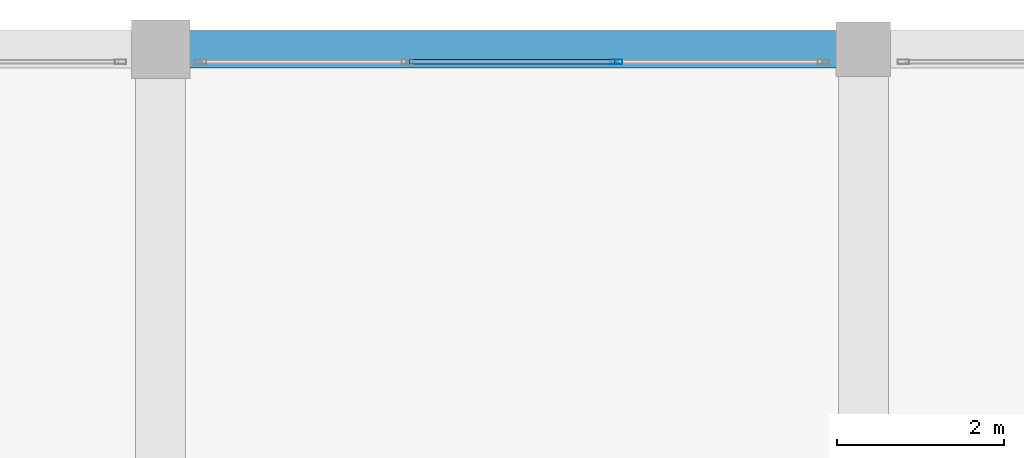
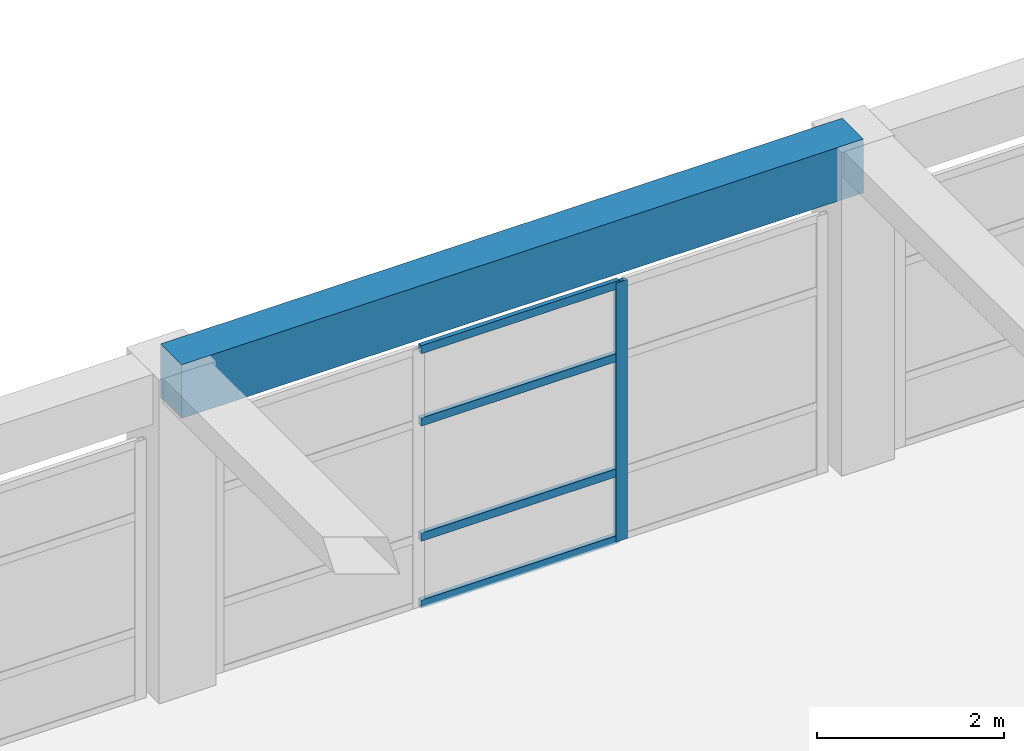
# One storey, part 51 of 85: 5 members, 1 beam, 1 element without a shape of its own.
"""IFC4 building model written with IfcOpenShell, lengths in metres."""

from ifc_helpers import new_model, si_unit, direction, frame, origin, origin_2d, place, context, subcontext, project, spatial, rectangle, hollow_rectangle, extrude, material, material_profile, profile_set, type_object, element, aggregate, save


model = new_model("IFC4")

# Units and contexts
model_context = context("Model", 3, precision=1e-05, world=origin(), true_north=direction((0.0, 1.0)))
body_context = subcontext(model_context, "Body", "Model", "MODEL_VIEW")
ifc_project = project(units=[si_unit("LENGTHUNIT", "METRE"), si_unit("AREAUNIT", "SQUARE_METRE"), si_unit("VOLUMEUNIT", "CUBIC_METRE"), si_unit("PLANEANGLEUNIT", "RADIAN"), si_unit("MASSUNIT", "GRAM", prefix="KILO")], contexts=[model_context])

# Site, building, storey
site_placement = place(None, origin())
site = spatial("IfcSite", under=ifc_project, at=site_placement, CompositionType="ELEMENT")
building_placement = place(site_placement, origin())
building = spatial("IfcBuilding", under=site, at=building_placement, Name="Almacenes y Pasaje Nevantli", CompositionType="ELEMENT")
storey_placement = place(building_placement, frame((0.0, 0.0, 22.199951171875)))
storey = spatial("IfcBuildingStorey", under=building, at=storey_placement, Name="L05", CompositionType="ELEMENT", Elevation=22.199951171875)

# Beam
ifc_material_1 = material(Name="Concrete C35/45", Category="concrete")
ifc_material_profile_1 = material_profile(ifc_material_1, rectangle(XDim=0.449951171875, YDim=0.699951171875, at=origin_2d()), Name="RC-BM-450x700")
ifc_profile_set_1 = profile_set([ifc_material_profile_1], Name="Concrete C35/45")
beam_type = type_object("IfcBeamType", Name="BM-RC-450x700", PredefinedType="SPANDREL", material=ifc_profile_set_1)
beam_placement = place(storey_placement, frame((117.60009765625, 117.60009765625, 3.8701171875), z_axis=(1.0, 0.0, 0.0), x_axis=(0.0, 1.0, 0.0)))
element("IfcBeam", 1, at=beam_placement, inside=storey, type_object=beam_type, Name="L05 East-West Reinforced Concrete Beam #3416", PredefinedType="SPANDREL", context=body_context, shape_type="SweptSolid", body=[
    extrude(rectangle(XDim=0.449951171875, YDim=0.699951171875, at=origin_2d()), origin(), (0.0, 0.0, 1.0), 8.39990234375),
])

# Curtain wall, members
ifc_material_2 = material(Name="Thermally Broken Aluminium and Low-E Glass", Category="aluminium")
curtain_wall_type = type_object("IfcCurtainWallType", Name="CW-UNIT-PODIUM", PredefinedType="USERDEFINED", material=ifc_material_2)
curtain_wall_placement = place(storey_placement, origin())
curtain_wall = element("IfcCurtainWall", 2, at=curtain_wall_placement, inside=storey, type_object=curtain_wall_type, Name="L05 Sky-Lobby North Curtain Wall Bay 15", ObjectType="UNITIZED CURTAIN WALL", PredefinedType="USERDEFINED")
ifc_material_3 = material(Name="Thermally Broken Anodized Aluminium", Category="aluminium")
ifc_material_profile_2 = material_profile(ifc_material_3, hollow_rectangle(XDim=0.054931640625, YDim=0.139892578125, WallThickness=0.00341796875, at=origin_2d()), Name="ALU-MUL-55x140")
ifc_profile_set_2 = profile_set([ifc_material_profile_2], Name="Thermally Broken Anodized Aluminium")
member_type_1 = type_object("IfcMemberType", Name="CW-MUL-160", PredefinedType="MULLION", material=ifc_profile_set_2)
member_1_placement = place(storey_placement, frame((123.050048828125, 117.449951171875, 0.0), z_axis=(0.0, 0.0, 1.0), x_axis=(0.0, 1.0, 0.0)))
member_1 = element("IfcMember", 3, at=member_1_placement, type_object=member_type_1, Name="CW-L05-086 mullion 3", PredefinedType="MULLION", context=body_context, shape_type="SweptSolid", body=[
    extrude(hollow_rectangle(XDim=0.054931640625, YDim=0.139892578125, WallThickness=0.00341796875, at=origin_2d()), origin(), (0.0, 0.0, 1.0), 3.3701171875),
])
ifc_material_4 = material(Name="Thermally Broken Anodized Aluminium", Category="aluminium")
ifc_material_profile_3 = material_profile(ifc_material_4, hollow_rectangle(XDim=0.054931640625, YDim=0.10498046875, WallThickness=0.003173828125, at=origin_2d()), Name="ALU-TRN-55x105")
ifc_profile_set_3 = profile_set([ifc_material_profile_3], Name="Thermally Broken Anodized Aluminium")
member_type_2 = type_object("IfcMemberType", Name="CW-TRN-120", PredefinedType="USERDEFINED", material=ifc_profile_set_3)
member_2_placement = place(storey_placement, frame((120.577392578125, 117.449951171875, 0.027587890625), z_axis=(1.0, 0.0, 0.0), x_axis=(0.0, 1.0, 0.0)))
member_2 = element("IfcMember", 4, at=member_2_placement, type_object=member_type_2, Name="CW-L05-086 transom 2.1", ObjectType="TRANSOM", PredefinedType="USERDEFINED", context=body_context, shape_type="SweptSolid", body=[
    extrude(hollow_rectangle(XDim=0.054931640625, YDim=0.10498046875, WallThickness=0.003173828125, at=origin_2d()), origin(), (0.0, 0.0, 1.0), 2.445068359375),
])
member_3_placement = place(storey_placement, frame((120.577392578125, 117.449951171875, 0.900146484375), z_axis=(1.0, 0.0, 0.0), x_axis=(0.0, 1.0, 0.0)))
member_3 = element("IfcMember", 5, at=member_3_placement, type_object=member_type_2, Name="CW-L05-086 transom 2.2", ObjectType="TRANSOM", PredefinedType="USERDEFINED", context=body_context, shape_type="SweptSolid", body=[
    extrude(hollow_rectangle(XDim=0.054931640625, YDim=0.10498046875, WallThickness=0.003173828125, at=origin_2d()), origin(), (0.0, 0.0, 1.0), 2.445068359375),
])
member_4_placement = place(storey_placement, frame((120.577392578125, 117.449951171875, 2.400146484375), z_axis=(1.0, 0.0, 0.0), x_axis=(0.0, 1.0, 0.0)))
member_4 = element("IfcMember", 6, at=member_4_placement, type_object=member_type_2, Name="CW-L05-086 transom 2.3", ObjectType="TRANSOM", PredefinedType="USERDEFINED", context=body_context, shape_type="SweptSolid", body=[
    extrude(hollow_rectangle(XDim=0.054931640625, YDim=0.10498046875, WallThickness=0.003173828125, at=origin_2d()), origin(), (0.0, 0.0, 1.0), 2.445068359375),
])
member_5_placement = place(storey_placement, frame((120.577392578125, 117.449951171875, 3.342529296875), z_axis=(1.0, 0.0, 0.0), x_axis=(0.0, 1.0, 0.0)))
member_5 = element("IfcMember", 7, at=member_5_placement, type_object=member_type_2, Name="CW-L05-086 transom 2.4", ObjectType="TRANSOM", PredefinedType="USERDEFINED", context=body_context, shape_type="SweptSolid", body=[
    extrude(hollow_rectangle(XDim=0.054931640625, YDim=0.10498046875, WallThickness=0.003173828125, at=origin_2d()), origin(), (0.0, 0.0, 1.0), 2.445068359375),
])
aggregate(curtain_wall, [member_1, member_2, member_3, member_4, member_5])

save(model, "model.ifc")
